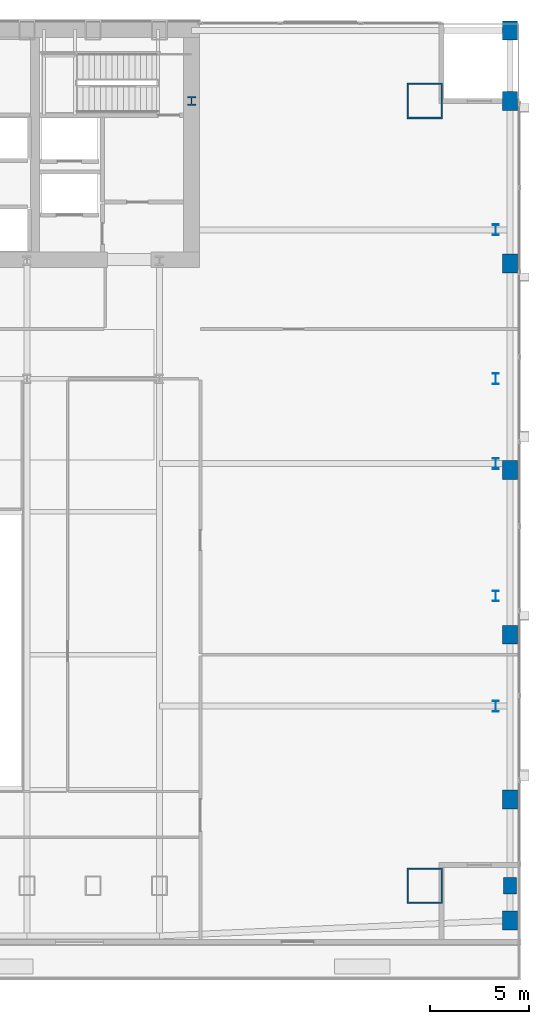
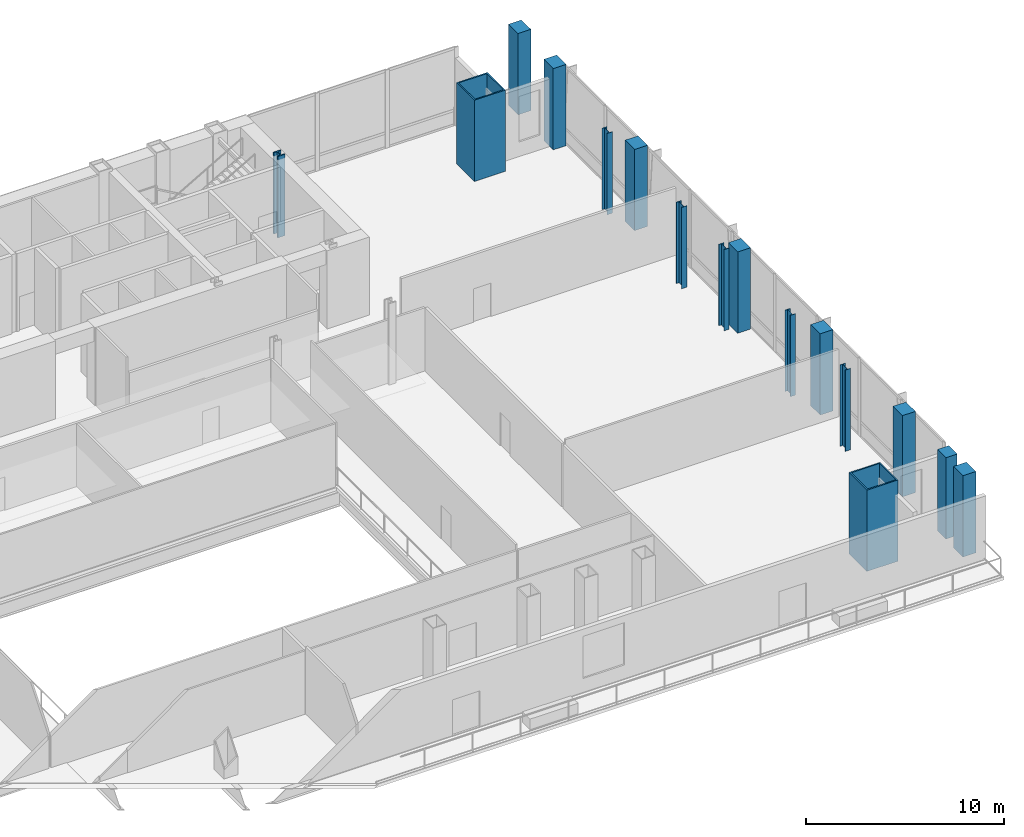
# One storey, part 4 of 25: 16 columns.
"""IFC4 building model written with IfcOpenShell, lengths in metres."""

from ifc_helpers import new_model, si_unit, direction, frame, origin, origin_2d, place, context, subcontext, project, spatial, rectangle, hollow_rectangle, i_section, extrude, material, material_profile, profile_set, type_object, element, save


model = new_model("IFC4")

# Units and contexts
model_context = context("Model", 3, precision=1e-05, world=origin(), true_north=direction((0.0, 1.0)))
body_context = subcontext(model_context, "Body", "Model", "MODEL_VIEW")
ifc_project = project(units=[si_unit("LENGTHUNIT", "METRE"), si_unit("AREAUNIT", "SQUARE_METRE"), si_unit("VOLUMEUNIT", "CUBIC_METRE"), si_unit("PLANEANGLEUNIT", "RADIAN"), si_unit("MASSUNIT", "GRAM", prefix="KILO")], contexts=[model_context])

# Site, building, storey
site_placement = place(None, origin())
site = spatial("IfcSite", under=ifc_project, at=site_placement, CompositionType="ELEMENT")
building_placement = place(site_placement, origin())
building = spatial("IfcBuilding", under=site, at=building_placement, Name="Khoronbel Lancet Exchange", CompositionType="ELEMENT")
storey_placement = place(building_placement, frame((0.0, 0.0, 10.39990234375)))
storey = spatial("IfcBuildingStorey", under=building, at=storey_placement, Name="L02", CompositionType="ELEMENT", Elevation=10.39990234375)

# Columns
ifc_material_1 = material(Name="Steel S460", Category="steel")
ifc_material_profile_1 = material_profile(ifc_material_1, i_section(OverallWidth=0.424072265625, OverallDepth=0.47412109375, WebThickness=0.047607421875, FlangeThickness=0.076904296875, at=origin_2d()), Name="HD 400x634")
ifc_profile_set_1 = profile_set([ifc_material_profile_1], Name="Steel S460")
column_type_1 = type_object("IfcColumnType", Name="COL-IC1", PredefinedType="COLUMN", material=ifc_profile_set_1)
column_1_placement = place(storey_placement, frame((56.300048828125, 49.699951171875, 0.0), z_axis=(0.0, 0.0, 1.0), x_axis=(1.0, 0.0, 0.0)))
element("IfcColumn", 1, at=column_1_placement, inside=storey, type_object=column_type_1, Name="Core-flank plumb transfer column CFE L02", PredefinedType="COLUMN", context=body_context, shape_type="SweptSolid", body=[
    extrude(i_section(OverallWidth=0.424072265625, OverallDepth=0.47412109375, WebThickness=0.047607421875, FlangeThickness=0.076904296875, at=origin_2d()), origin(), (0.0, 0.0, 1.0), 5.0),
])
ifc_material_2 = material(Name="Steel S355", Category="steel")
ifc_material_profile_2 = material_profile(ifc_material_2, i_section(OverallWidth=0.300048828125, OverallDepth=0.550048828125, WebThickness=0.014892578125, FlangeThickness=0.029052734375, at=origin_2d()), Name="HEB 550")
ifc_profile_set_2 = profile_set([ifc_material_profile_2], Name="Steel S355")
column_type_2 = type_object("IfcColumnType", Name="COL-LC1", PredefinedType="COLUMN", material=ifc_profile_set_2)
for number, where, z_axis, x_axis, name in (
    (2, (71.6298828125, 19.199951171875, 0.0), (0.0, 0.0, 1.0), (1.0, 0.0, 0.0), "Structural column EC-1 L02"),
    (3, (71.6298828125, 24.75, 0.0), (0.0, 0.0, 1.0), (1.0, 0.0, 0.0), "Structural column EC-2 L02"),
    (4, (71.6298828125, 31.425048828125, 0.0), (0.0, 0.0, 1.0), (1.0, 0.0, 0.0), "Structural column EC-M L02"),
    (5, (71.6298828125, 35.699951171875, 0.0), (0.0, 0.0, 1.0), (1.0, 0.0, 0.0), "Structural column EC-3 L02"),
    (6, (71.6298828125, 43.199951171875, 0.0), (0.0, 0.0, 1.0), (1.0, 0.0, 0.0), "Structural column EC-4 L02"),
):
    element("IfcColumn", number, at=place(storey_placement, frame(where, z_axis=z_axis, x_axis=x_axis)), inside=storey, type_object=column_type_2, Name=name, PredefinedType="COLUMN", context=body_context, shape_type="SweptSolid", body=[
        extrude(i_section(OverallWidth=0.300048828125, OverallDepth=0.550048828125, WebThickness=0.014892578125, FlangeThickness=0.029052734375, at=origin_2d()), origin(), (0.0, 0.0, 1.0), 5.0),
    ])
ifc_material_profile_3 = material_profile(ifc_material_1, hollow_rectangle(XDim=1.800048828125, YDim=1.800048828125, WallThickness=0.080078125, at=origin_2d()), Name="BOX 1800x1800x80")
ifc_profile_set_3 = profile_set([ifc_material_profile_3], Name="Steel S460")
column_type_3 = type_object("IfcColumnType", Name="COL-MC1", PredefinedType="COLUMN", material=ifc_profile_set_3)
for number, where, z_axis, x_axis, name in (
    (7, (68.050048828125, 10.14990234375, 0.0), (0.0, 0.0, 1.0), (1.0, 0.0, 0.0), "Structural column MC-SE L02"),
    (8, (68.050048828125, 49.699951171875, 0.0), (0.0, 0.0, 1.0), (1.0, 0.0, 0.0), "Structural column MC-NE L02"),
):
    element("IfcColumn", number, at=place(storey_placement, frame(where, z_axis=z_axis, x_axis=x_axis)), inside=storey, type_object=column_type_3, Name=name, PredefinedType="COLUMN", context=body_context, shape_type="SweptSolid", body=[
        extrude(hollow_rectangle(XDim=1.800048828125, YDim=1.800048828125, WallThickness=0.080078125, at=origin_2d()), origin(), (0.0, 0.0, 1.0), 5.0),
    ])
ifc_material_3 = material(Name="Concrete C60/75", Category="concrete")
ifc_material_profile_4 = material_profile(ifc_material_3, rectangle(XDim=0.75, YDim=0.949951171875, at=origin_2d()), Name="RC 750x950")
ifc_profile_set_4 = profile_set([ifc_material_profile_4], Name="Concrete C60/75")
column_type_4 = type_object("IfcColumnType", Name="COL-PIL2", PredefinedType="PILASTER", material=ifc_profile_set_4)
for number, where, z_axis, x_axis, name in (
    (9, (72.35009765625, 8.39990234375, 0.0), (0.0, 0.0, 1.0), (1.0, 0.0, 0.0), "Podium Gothic colonnade pilaster SEP L02"),
    (10, (72.35009765625, 49.699951171875, 0.0), (0.0, 0.0, 1.0), (1.0, 0.0, 0.0), "Podium Gothic colonnade pilaster NEMC L02"),
    (11, (72.35009765625, 53.25, 0.0), (0.0, 0.0, 1.0), (1.0, 0.0, 0.0), "Podium Gothic colonnade pilaster NEP L02"),
    (12, (72.35009765625, 14.5, 0.0), (0.0, 0.0, 1.0), (1.0, 0.0, 0.0), "Podium Gothic colonnade pilaster E1 L02"),
    (13, (72.35009765625, 22.800048828125, 0.0), (0.0, 0.0, 1.0), (1.0, 0.0, 0.0), "Podium Gothic colonnade pilaster E2 L02"),
    (14, (72.35009765625, 31.10009765625, 0.0), (0.0, 0.0, 1.0), (1.0, 0.0, 0.0), "Podium Gothic colonnade pilaster E3 L02"),
    (15, (72.35009765625, 41.5, 0.0), (0.0, 0.0, 1.0), (1.0, 0.0, 0.0), "Podium Gothic colonnade pilaster E4 L02"),
):
    element("IfcColumn", number, at=place(storey_placement, frame(where, z_axis=z_axis, x_axis=x_axis)), inside=storey, type_object=column_type_4, Name=name, PredefinedType="PILASTER", context=body_context, shape_type="SweptSolid", body=[
        extrude(rectangle(XDim=0.75, YDim=0.949951171875, at=origin_2d()), origin(), (0.0, 0.0, 1.0), 5.0),
    ])
ifc_material_profile_5 = material_profile(ifc_material_3, rectangle(XDim=0.64990234375, YDim=0.85009765625, at=origin_2d()), Name="RC 650x850")
ifc_profile_set_5 = profile_set([ifc_material_profile_5], Name="Concrete C60/75")
column_type_5 = type_object("IfcColumnType", Name="COL-PIL3", PredefinedType="PILASTER", material=ifc_profile_set_5)
column_2_placement = place(storey_placement, frame((72.35009765625, 10.14990234375, 0.0), z_axis=(0.0, 0.0, 1.0), x_axis=(1.0, 0.0, 0.0)))
element("IfcColumn", 16, at=column_2_placement, inside=storey, type_object=column_type_5, Name="Podium Gothic colonnade pilaster EMC L02", PredefinedType="PILASTER", context=body_context, shape_type="SweptSolid", body=[
    extrude(rectangle(XDim=0.64990234375, YDim=0.85009765625, at=origin_2d()), origin(), (0.0, 0.0, 1.0), 5.0),
])

save(model, "model.ifc")
